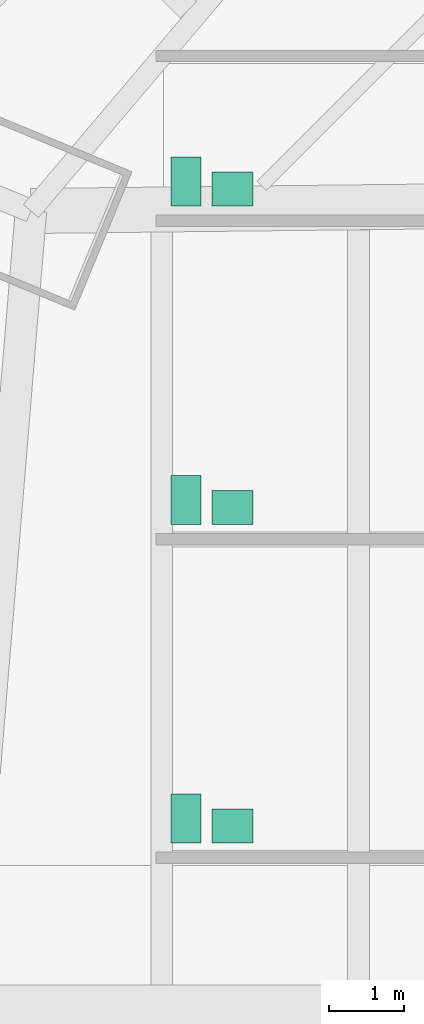
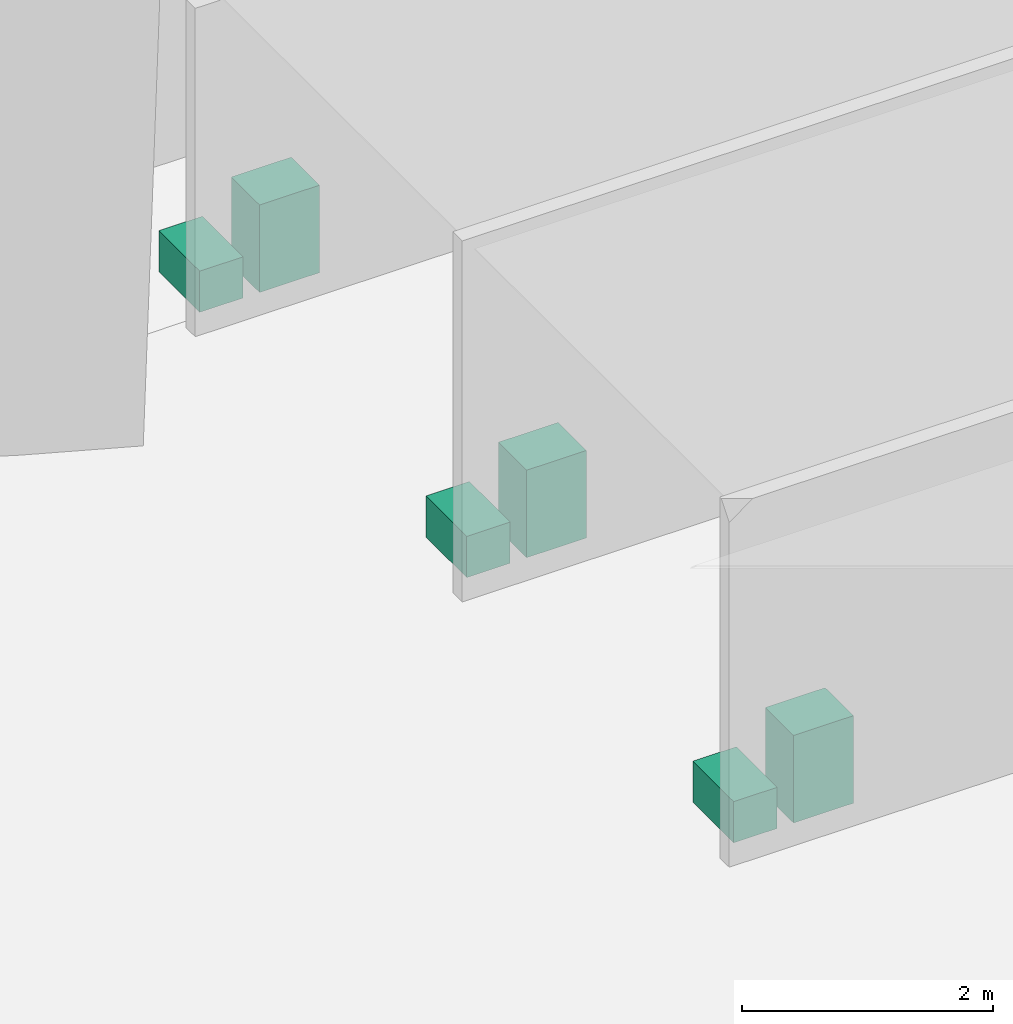
# One storey, part 19 of 19: 6 sanitary terminals.
"""IFC4 building model written with IfcOpenShell, lengths in metres."""

from ifc_helpers import new_model, si_unit, direction, frame, origin, origin_2d, place, context, subcontext, project, spatial, rectangle, extrude, material, type_object, element, save


model = new_model("IFC4")

# Units and contexts
model_context = context("Model", 3, precision=1e-05, world=origin(), true_north=direction((0.0, 1.0)))
body_context = subcontext(model_context, "Body", "Model", "MODEL_VIEW")
ifc_project = project(units=[si_unit("LENGTHUNIT", "METRE"), si_unit("AREAUNIT", "SQUARE_METRE"), si_unit("VOLUMEUNIT", "CUBIC_METRE"), si_unit("PLANEANGLEUNIT", "RADIAN"), si_unit("MASSUNIT", "GRAM", prefix="KILO")], contexts=[model_context])

# Site, building, storey
site_placement = place(None, origin())
site = spatial("IfcSite", under=ifc_project, at=site_placement, CompositionType="ELEMENT")
building_placement = place(site_placement, origin())
building = spatial("IfcBuilding", under=site, at=building_placement, Name="Mashrafa Tower", CompositionType="ELEMENT")
storey_placement = place(building_placement, frame((0.0, 0.0, 24.0)))
storey = spatial("IfcBuildingStorey", under=building, at=storey_placement, Name="L04", CompositionType="ELEMENT", Elevation=24.0)

# Sanitary terminals
ifc_material_1 = material(Name="Vitreous china")
sanitary_terminal_type_1 = type_object("IfcSanitaryTerminalType", Name="Toilet pan 400 x 650", PredefinedType="TOILETPAN", material=ifc_material_1)
for number, where, z_axis, x_axis, name in (
    (1, (-23.60009765625, 2.52490234375, 0.0), (0.0, 0.0, 1.0), (1.0, 0.0, 0.0), "Toilet pan WC Female L04"),
    (2, (-23.60009765625, 6.77490234375, 0.0), (0.0, 0.0, 1.0), (1.0, 0.0, 0.0), "Toilet pan WC Male L04"),
    (3, (-23.60009765625, 11.02490234375, 0.0), (0.0, 0.0, 1.0), (1.0, 0.0, 0.0), "Toilet pan Accessible WC L04"),
):
    element("IfcSanitaryTerminal", number, at=place(storey_placement, frame(where, z_axis=z_axis, x_axis=x_axis)), inside=storey, type_object=sanitary_terminal_type_1, Name=name, PredefinedType="TOILETPAN", context=body_context, shape_type="SweptSolid", body=[
        extrude(rectangle(XDim=0.39990234375, YDim=0.64990234375, at=origin_2d()), origin(), (0.0, 0.0, 1.0), 0.39990234375),
    ])
ifc_material_2 = material(Name="Vitreous china")
sanitary_terminal_type_2 = type_object("IfcSanitaryTerminalType", Name="Wash basin 550 x 450", PredefinedType="WASHHANDBASIN", material=ifc_material_2)
for number, where, z_axis, x_axis, name in (
    (4, (-22.97509765625, 2.425048828125, 0.0), (0.0, 0.0, 1.0), (1.0, 0.0, 0.0), "Wash basin WC Female L04"),
    (5, (-22.97509765625, 6.675048828125, 0.0), (0.0, 0.0, 1.0), (1.0, 0.0, 0.0), "Wash basin WC Male L04"),
    (6, (-22.97509765625, 10.925048828125, 0.0), (0.0, 0.0, 1.0), (1.0, 0.0, 0.0), "Wash basin Accessible WC L04"),
):
    element("IfcSanitaryTerminal", number, at=place(storey_placement, frame(where, z_axis=z_axis, x_axis=x_axis)), inside=storey, type_object=sanitary_terminal_type_2, Name=name, PredefinedType="WASHHANDBASIN", context=body_context, shape_type="SweptSolid", body=[
        extrude(rectangle(XDim=0.550048828125, YDim=0.449951171875, at=origin_2d()), origin(), (0.0, 0.0, 1.0), 0.85009765625),
    ])

save(model, "model.ifc")
